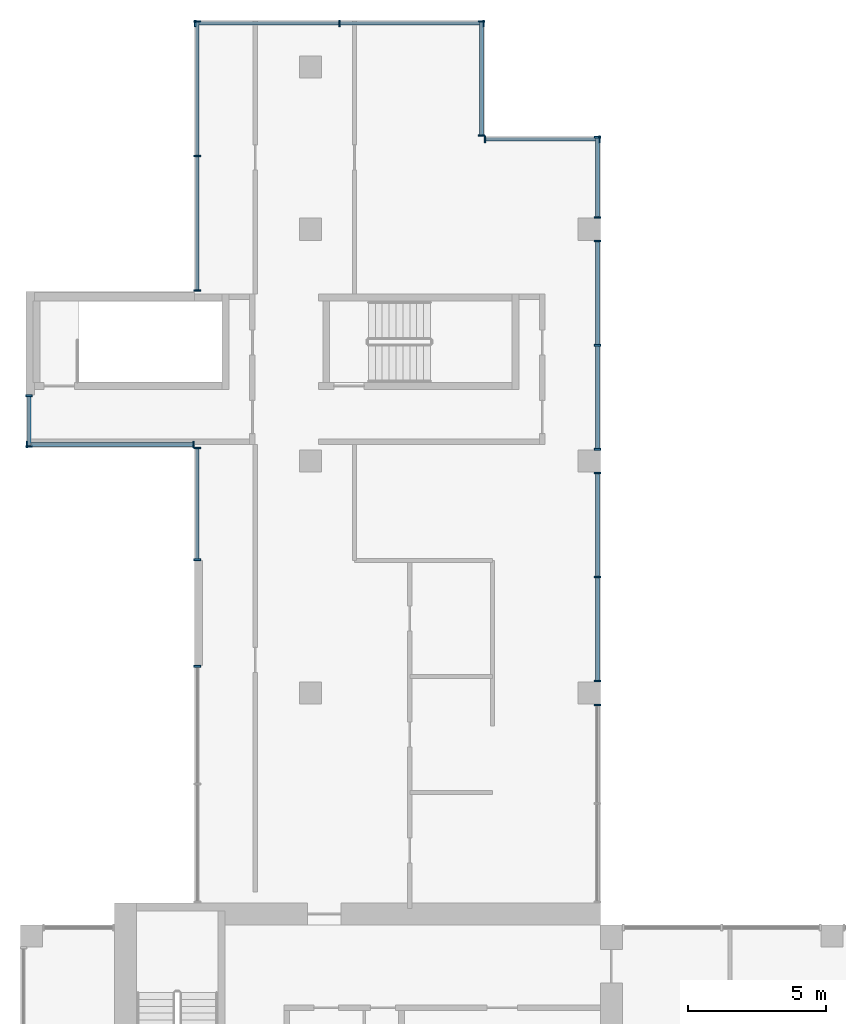
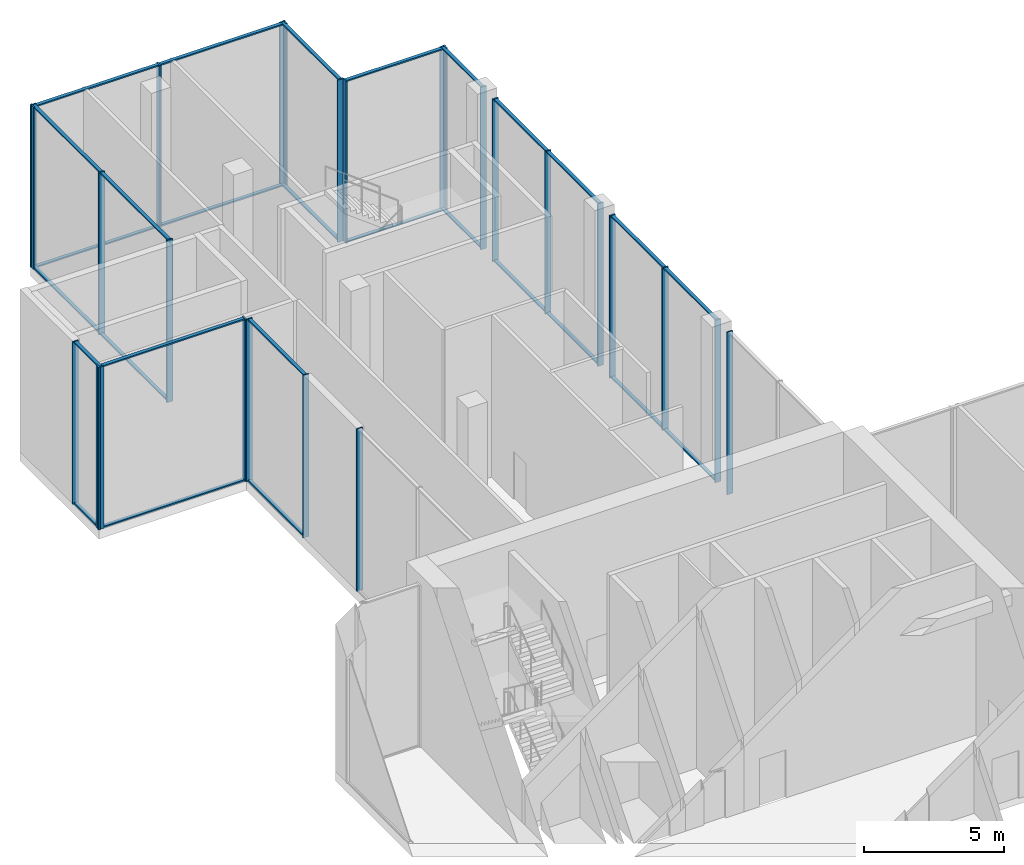
# One storey, part 5 of 13: 54 members, 12 elements without a shape of their own.
"""IFC4 building model written with IfcOpenShell, lengths in metres."""

from ifc_helpers import new_model, si_unit, direction, frame, origin, origin_2d, place, context, subcontext, project, spatial, rectangle, extrude, source, transform, mapped, material, layer, layer_set, material_profile, profile_set, type_object, element, aggregate, save


model = new_model("IFC4")

# Units and contexts
model_context = context("Model", 3, precision=1e-05, world=origin(), true_north=direction((0.0, 1.0)))
body_context = subcontext(model_context, "Body", "Model", "MODEL_VIEW")
ifc_project = project(units=[si_unit("LENGTHUNIT", "METRE"), si_unit("AREAUNIT", "SQUARE_METRE"), si_unit("VOLUMEUNIT", "CUBIC_METRE"), si_unit("PLANEANGLEUNIT", "RADIAN"), si_unit("MASSUNIT", "GRAM", prefix="KILO")], contexts=[model_context])

# Site, building, storey
site_placement = place(None, origin())
site = spatial("IfcSite", under=ifc_project, at=site_placement, CompositionType="ELEMENT")
building_placement = place(site_placement, origin())
building = spatial("IfcBuilding", under=site, at=building_placement, Name="Aurelian Terraces", CompositionType="ELEMENT")
storey_placement = place(building_placement, frame((0.0, 0.0, 277.0)))
storey = spatial("IfcBuildingStorey", under=building, at=storey_placement, Name="L63", CompositionType="ELEMENT", Elevation=277.0)

# Curtain wall, member
ifc_material_1 = material(Name="Anodised aluminium and clear glazing", Category="aluminium")
ifc_layer = layer(ifc_material_1, 0.2)
ifc_layer_set = layer_set([ifc_layer], Name="Lobby glazing curtain wall")
curtain_wall_type = type_object("IfcCurtainWallType", Name="Lobby glazing curtain wall", PredefinedType="NOTDEFINED", material=ifc_layer_set)
curtain_wall_1_placement = place(storey_placement, origin())
curtain_wall_1 = element("IfcCurtainWall", 1, at=curtain_wall_1_placement, inside=storey, type_object=curtain_wall_type, Name="Lobby glazing L63 F08.1", PredefinedType="NOTDEFINED")
ifc_material_2 = material(Name="Anodised aluminium", Category="aluminium")
ifc_material_profile_1 = material_profile(ifc_material_2, rectangle(XDim=0.24, YDim=0.06, at=origin_2d()))
ifc_profile_set_1 = profile_set([ifc_material_profile_1], Name="Anodised aluminium")
member_type_1 = type_object("IfcMemberType", Name="Lobby glazing mullion", PredefinedType="MULLION", material=ifc_profile_set_1)
shared_shape_1 = source(origin(), body_context, "Body", "SweptSolid", [
    extrude(rectangle(XDim=0.24, YDim=0.06, at=origin_2d()), origin(), (0.0, 0.0, 1.0), 7.1),
])
member_1_placement = place(storey_placement, frame((20.9, 28.97, 0.0), z_axis=(0.0, 0.0, 1.0), x_axis=(-1.0, 0.0, 0.0)))
member_1 = element("IfcMember", 2, at=member_1_placement, type_object=member_type_1, Name="CW2 mullion 3", PredefinedType="MULLION", context=body_context, shape_type="MappedRepresentation", body=[
    mapped(shared_shape_1, transform((0.0, 0.0, 0.0), scale=1.0)),
])
aggregate(curtain_wall_1, [member_1])

# Curtain wall, members
curtain_wall_2_placement = place(storey_placement, origin())
curtain_wall_2 = element("IfcCurtainWall", 3, at=curtain_wall_2_placement, inside=storey, type_object=curtain_wall_type, Name="Lobby glazing L63 F08.2", PredefinedType="NOTDEFINED")
member_2_placement = place(storey_placement, frame((20.9, 29.83, 0.0), z_axis=(0.0, 0.0, 1.0), x_axis=(-1.0, 0.0, 0.0)))
member_2 = element("IfcMember", 4, at=member_2_placement, type_object=member_type_1, Name="CW2 mullion 1", PredefinedType="MULLION", context=body_context, shape_type="MappedRepresentation", body=[
    mapped(shared_shape_1, transform((0.0, 0.0, 0.0), scale=1.0)),
])
member_3_placement = place(storey_placement, frame((20.9, 33.6, 0.0), z_axis=(0.0, 0.0, 1.0), x_axis=(-1.0, 0.0, 0.0)))
member_3 = element("IfcMember", 5, at=member_3_placement, type_object=member_type_1, Name="CW2 mullion 2", PredefinedType="MULLION", context=body_context, shape_type="MappedRepresentation", body=[
    mapped(shared_shape_1, transform((0.0, 0.0, 0.0), scale=1.0)),
])
member_4_placement = place(storey_placement, frame((20.9, 37.37, 0.0), z_axis=(0.0, 0.0, 1.0), x_axis=(-1.0, 0.0, 0.0)))
member_4 = element("IfcMember", 6, at=member_4_placement, type_object=member_type_1, Name="CW2 mullion 3", PredefinedType="MULLION", context=body_context, shape_type="MappedRepresentation", body=[
    mapped(shared_shape_1, transform((0.0, 0.0, 0.0), scale=1.0)),
])

curtain_wall_3_placement = place(storey_placement, origin())
curtain_wall_3 = element("IfcCurtainWall", 7, at=curtain_wall_3_placement, inside=storey, type_object=curtain_wall_type, Name="Lobby glazing L63 F08.3", PredefinedType="NOTDEFINED")
member_5_placement = place(storey_placement, frame((20.9, 38.23, 0.0), z_axis=(0.0, 0.0, 1.0), x_axis=(-1.0, 0.0, 0.0)))
member_5 = element("IfcMember", 8, at=member_5_placement, type_object=member_type_1, Name="CW2 mullion 1", PredefinedType="MULLION", context=body_context, shape_type="MappedRepresentation", body=[
    mapped(shared_shape_1, transform((0.0, 0.0, 0.0), scale=1.0)),
])
member_6_placement = place(storey_placement, frame((20.9, 42.0, 0.0), z_axis=(0.0, 0.0, 1.0), x_axis=(-1.0, 0.0, 0.0)))
member_6 = element("IfcMember", 9, at=member_6_placement, type_object=member_type_1, Name="CW2 mullion 2", PredefinedType="MULLION", context=body_context, shape_type="MappedRepresentation", body=[
    mapped(shared_shape_1, transform((0.0, 0.0, 0.0), scale=1.0)),
])
member_7_placement = place(storey_placement, frame((20.9, 45.77, 0.0), z_axis=(0.0, 0.0, 1.0), x_axis=(-1.0, 0.0, 0.0)))
member_7 = element("IfcMember", 10, at=member_7_placement, type_object=member_type_1, Name="CW2 mullion 3", PredefinedType="MULLION", context=body_context, shape_type="MappedRepresentation", body=[
    mapped(shared_shape_1, transform((0.0, 0.0, 0.0), scale=1.0)),
])

curtain_wall_4_placement = place(storey_placement, origin())
curtain_wall_4 = element("IfcCurtainWall", 11, at=curtain_wall_4_placement, inside=storey, type_object=curtain_wall_type, Name="Lobby glazing L63 F08.4", PredefinedType="NOTDEFINED")
member_8_placement = place(storey_placement, frame((20.9, 46.63, 0.0), z_axis=(0.0, 0.0, 1.0), x_axis=(-1.0, 0.0, 0.0)))
member_8 = element("IfcMember", 12, at=member_8_placement, type_object=member_type_1, Name="CW2 mullion 1", PredefinedType="MULLION", context=body_context, shape_type="MappedRepresentation", body=[
    mapped(shared_shape_1, transform((0.0, 0.0, 0.0), scale=1.0)),
])
member_9_placement = place(storey_placement, frame((20.9, 49.53, 0.0), z_axis=(0.0, 0.0, 1.0), x_axis=(-1.0, 0.0, 0.0)))
member_9 = element("IfcMember", 13, at=member_9_placement, type_object=member_type_1, Name="CW2 mullion 2", PredefinedType="MULLION", context=body_context, shape_type="MappedRepresentation", body=[
    mapped(shared_shape_1, transform((0.0, 0.0, 0.0), scale=1.0)),
])

curtain_wall_5_placement = place(storey_placement, origin())
curtain_wall_5 = element("IfcCurtainWall", 14, at=curtain_wall_5_placement, inside=storey, type_object=curtain_wall_type, Name="Lobby glazing L63 F09.1", PredefinedType="NOTDEFINED")
member_10_placement = place(storey_placement, frame((20.97, 49.46, 0.0), z_axis=(0.0, 0.0, 1.0), x_axis=(0.0, -1.0, 0.0)))
member_10 = element("IfcMember", 15, at=member_10_placement, type_object=member_type_1, Name="CW2 mullion 1", PredefinedType="MULLION", context=body_context, shape_type="MappedRepresentation", body=[
    mapped(shared_shape_1, transform((0.0, 0.0, 0.0), scale=1.0)),
])
member_11_placement = place(storey_placement, frame((16.83, 49.46, 0.0), z_axis=(0.0, 0.0, 1.0), x_axis=(0.0, -1.0, 0.0)))
member_11 = element("IfcMember", 16, at=member_11_placement, type_object=member_type_1, Name="CW2 mullion 2", PredefinedType="MULLION", context=body_context, shape_type="MappedRepresentation", body=[
    mapped(shared_shape_1, transform((0.0, 0.0, 0.0), scale=1.0)),
])

curtain_wall_6_placement = place(storey_placement, origin())
curtain_wall_6 = element("IfcCurtainWall", 17, at=curtain_wall_6_placement, inside=storey, type_object=curtain_wall_type, Name="Lobby glazing L63 F10.1", PredefinedType="NOTDEFINED")
member_12_placement = place(storey_placement, frame((16.7, 49.59, 0.0), z_axis=(0.0, 0.0, 1.0), x_axis=(-1.0, 0.0, 0.0)))
member_12 = element("IfcMember", 18, at=member_12_placement, type_object=member_type_1, Name="CW2 mullion 1", PredefinedType="MULLION", context=body_context, shape_type="MappedRepresentation", body=[
    mapped(shared_shape_1, transform((0.0, 0.0, 0.0), scale=1.0)),
])
member_13_placement = place(storey_placement, frame((16.7, 53.73, 0.0), z_axis=(0.0, 0.0, 1.0), x_axis=(-1.0, 0.0, 0.0)))
member_13 = element("IfcMember", 19, at=member_13_placement, type_object=member_type_1, Name="CW2 mullion 2", PredefinedType="MULLION", context=body_context, shape_type="MappedRepresentation", body=[
    mapped(shared_shape_1, transform((0.0, 0.0, 0.0), scale=1.0)),
])

curtain_wall_7_placement = place(storey_placement, origin())
curtain_wall_7 = element("IfcCurtainWall", 20, at=curtain_wall_7_placement, inside=storey, type_object=curtain_wall_type, Name="Lobby glazing L63 F11.1", PredefinedType="NOTDEFINED")
member_14_placement = place(storey_placement, frame((16.77, 53.66, 0.0), z_axis=(0.0, 0.0, 1.0), x_axis=(0.0, -1.0, 0.0)))
member_14 = element("IfcMember", 21, at=member_14_placement, type_object=member_type_1, Name="CW2 mullion 1", PredefinedType="MULLION", context=body_context, shape_type="MappedRepresentation", body=[
    mapped(shared_shape_1, transform((0.0, 0.0, 0.0), scale=1.0)),
])
member_15_placement = place(storey_placement, frame((11.55, 53.66, 0.0), z_axis=(0.0, 0.0, 1.0), x_axis=(0.0, -1.0, 0.0)))
member_15 = element("IfcMember", 22, at=member_15_placement, type_object=member_type_1, Name="CW2 mullion 2", PredefinedType="MULLION", context=body_context, shape_type="MappedRepresentation", body=[
    mapped(shared_shape_1, transform((0.0, 0.0, 0.0), scale=1.0)),
])
member_16_placement = place(storey_placement, frame((6.33, 53.66, 0.0), z_axis=(0.0, 0.0, 1.0), x_axis=(0.0, -1.0, 0.0)))
member_16 = element("IfcMember", 23, at=member_16_placement, type_object=member_type_1, Name="CW2 mullion 3", PredefinedType="MULLION", context=body_context, shape_type="MappedRepresentation", body=[
    mapped(shared_shape_1, transform((0.0, 0.0, 0.0), scale=1.0)),
])

curtain_wall_8_placement = place(storey_placement, origin())
curtain_wall_8 = element("IfcCurtainWall", 24, at=curtain_wall_8_placement, inside=storey, type_object=curtain_wall_type, Name="Lobby glazing L63 F12.1", PredefinedType="NOTDEFINED")
member_17_placement = place(storey_placement, frame((6.4, 53.73, 0.0), z_axis=(0.0, 0.0, 1.0), x_axis=(1.0, 0.0, 0.0)))
member_17 = element("IfcMember", 25, at=member_17_placement, type_object=member_type_1, Name="CW2 mullion 1", PredefinedType="MULLION", context=body_context, shape_type="MappedRepresentation", body=[
    mapped(shared_shape_1, transform((0.0, 0.0, 0.0), scale=1.0)),
])
member_18_placement = place(storey_placement, frame((6.4, 48.855, 0.0), z_axis=(0.0, 0.0, 1.0), x_axis=(1.0, 0.0, 0.0)))
member_18 = element("IfcMember", 26, at=member_18_placement, type_object=member_type_1, Name="CW2 mullion 2", PredefinedType="MULLION", context=body_context, shape_type="MappedRepresentation", body=[
    mapped(shared_shape_1, transform((0.0, 0.0, 0.0), scale=1.0)),
])
member_19_placement = place(storey_placement, frame((6.4, 43.98, 0.0), z_axis=(0.0, 0.0, 1.0), x_axis=(1.0, 0.0, 0.0)))
member_19 = element("IfcMember", 27, at=member_19_placement, type_object=member_type_1, Name="CW2 mullion 3", PredefinedType="MULLION", context=body_context, shape_type="MappedRepresentation", body=[
    mapped(shared_shape_1, transform((0.0, 0.0, 0.0), scale=1.0)),
])

curtain_wall_9_placement = place(storey_placement, origin())
curtain_wall_9 = element("IfcCurtainWall", 28, at=curtain_wall_9_placement, inside=storey, type_object=curtain_wall_type, Name="Lobby glazing L63 F14.2", PredefinedType="NOTDEFINED")
member_20_placement = place(storey_placement, frame((0.3, 40.17, 0.0), z_axis=(0.0, 0.0, 1.0), x_axis=(1.0, 0.0, 0.0)))
member_20 = element("IfcMember", 29, at=member_20_placement, type_object=member_type_1, Name="CW2 mullion 1", PredefinedType="MULLION", context=body_context, shape_type="MappedRepresentation", body=[
    mapped(shared_shape_1, transform((0.0, 0.0, 0.0), scale=1.0)),
])
member_21_placement = place(storey_placement, frame((0.3, 38.33, 0.0), z_axis=(0.0, 0.0, 1.0), x_axis=(1.0, 0.0, 0.0)))
member_21 = element("IfcMember", 30, at=member_21_placement, type_object=member_type_1, Name="CW2 mullion 2", PredefinedType="MULLION", context=body_context, shape_type="MappedRepresentation", body=[
    mapped(shared_shape_1, transform((0.0, 0.0, 0.0), scale=1.0)),
])

curtain_wall_10_placement = place(storey_placement, origin())
curtain_wall_10 = element("IfcCurtainWall", 31, at=curtain_wall_10_placement, inside=storey, type_object=curtain_wall_type, Name="Lobby glazing L63 F15.1", PredefinedType="NOTDEFINED")
member_22_placement = place(storey_placement, frame((0.23, 38.4, 0.0), z_axis=(0.0, 0.0, 1.0), x_axis=(0.0, 1.0, 0.0)))
member_22 = element("IfcMember", 32, at=member_22_placement, type_object=member_type_1, Name="CW2 mullion 1", PredefinedType="MULLION", context=body_context, shape_type="MappedRepresentation", body=[
    mapped(shared_shape_1, transform((0.0, 0.0, 0.0), scale=1.0)),
])
member_23_placement = place(storey_placement, frame((6.27, 38.4, 0.0), z_axis=(0.0, 0.0, 1.0), x_axis=(0.0, 1.0, 0.0)))
member_23 = element("IfcMember", 33, at=member_23_placement, type_object=member_type_1, Name="CW2 mullion 2", PredefinedType="MULLION", context=body_context, shape_type="MappedRepresentation", body=[
    mapped(shared_shape_1, transform((0.0, 0.0, 0.0), scale=1.0)),
])

curtain_wall_11_placement = place(storey_placement, origin())
curtain_wall_11 = element("IfcCurtainWall", 34, at=curtain_wall_11_placement, inside=storey, type_object=curtain_wall_type, Name="Lobby glazing L63 F16.1", PredefinedType="NOTDEFINED")
member_24_placement = place(storey_placement, frame((6.4, 38.27, 0.0), z_axis=(0.0, 0.0, 1.0), x_axis=(1.0, 0.0, 0.0)))
member_24 = element("IfcMember", 35, at=member_24_placement, type_object=member_type_1, Name="CW2 mullion 1", PredefinedType="MULLION", context=body_context, shape_type="MappedRepresentation", body=[
    mapped(shared_shape_1, transform((0.0, 0.0, 0.0), scale=1.0)),
])
member_25_placement = place(storey_placement, frame((6.4, 34.23, 0.0), z_axis=(0.0, 0.0, 1.0), x_axis=(1.0, 0.0, 0.0)))
member_25 = element("IfcMember", 36, at=member_25_placement, type_object=member_type_1, Name="CW2 mullion 2", PredefinedType="MULLION", context=body_context, shape_type="MappedRepresentation", body=[
    mapped(shared_shape_1, transform((0.0, 0.0, 0.0), scale=1.0)),
])

# Curtain wall, member
curtain_wall_12_placement = place(storey_placement, origin())
curtain_wall_12 = element("IfcCurtainWall", 37, at=curtain_wall_12_placement, inside=storey, type_object=curtain_wall_type, Name="Lobby glazing L63 F16.3", PredefinedType="NOTDEFINED")
member_26_placement = place(storey_placement, frame((6.4, 30.37, 0.0), z_axis=(0.0, 0.0, 1.0), x_axis=(1.0, 0.0, 0.0)))
member_26 = element("IfcMember", 38, at=member_26_placement, type_object=member_type_1, Name="CW2 mullion 1", PredefinedType="MULLION", context=body_context, shape_type="MappedRepresentation", body=[
    mapped(shared_shape_1, transform((0.0, 0.0, 0.0), scale=1.0)),
])
aggregate(curtain_wall_12, [member_26])

# Member
ifc_material_profile_2 = material_profile(ifc_material_2, rectangle(XDim=0.14, YDim=0.06, at=origin_2d()))
ifc_profile_set_2 = profile_set([ifc_material_profile_2], Name="Anodised aluminium")
member_type_2 = type_object("IfcMemberType", Name="Lobby glazing transom", PredefinedType="USERDEFINED", material=ifc_profile_set_2)
shared_shape_2 = source(origin(), body_context, "Body", "SweptSolid", [
    extrude(rectangle(XDim=0.14, YDim=0.06, at=origin_2d()), origin(), (0.0, 0.0, 1.0), 4.08),
])
member_27_placement = place(storey_placement, frame((20.94, 49.46, 0.03), z_axis=(-1.0, 0.0, 0.0), x_axis=(0.0, -1.0, 0.0)))
member_27 = element("IfcMember", 39, at=member_27_placement, type_object=member_type_2, Name="CW2 transom 1.1", ObjectType="TRANSOM", PredefinedType="USERDEFINED", context=body_context, shape_type="MappedRepresentation", body=[
    mapped(shared_shape_2, transform((0.0, 0.0, 0.0), scale=1.0)),
])

member_28_placement = place(storey_placement, frame((20.94, 49.46, 7.07), z_axis=(-1.0, 0.0, 0.0), x_axis=(0.0, -1.0, 0.0)))
member_28 = element("IfcMember", 40, at=member_28_placement, type_object=member_type_2, Name="CW2 transom 1.2", ObjectType="TRANSOM", PredefinedType="USERDEFINED", context=body_context, shape_type="MappedRepresentation", body=[
    mapped(shared_shape_2, transform((0.0, 0.0, 0.0), scale=1.0)),
])

aggregate(curtain_wall_5, [member_10, member_11, member_27, member_28])

member_29_placement = place(storey_placement, frame((16.7, 49.62, 0.03), z_axis=(0.0, 1.0, 0.0), x_axis=(-1.0, 0.0, 0.0)))
member_29 = element("IfcMember", 41, at=member_29_placement, type_object=member_type_2, Name="CW2 transom 1.1", ObjectType="TRANSOM", PredefinedType="USERDEFINED", context=body_context, shape_type="MappedRepresentation", body=[
    mapped(shared_shape_2, transform((0.0, 0.0, 0.0), scale=1.0)),
])

member_30_placement = place(storey_placement, frame((16.7, 49.62, 7.07), z_axis=(0.0, 1.0, 0.0), x_axis=(-1.0, 0.0, 0.0)))
member_30 = element("IfcMember", 42, at=member_30_placement, type_object=member_type_2, Name="CW2 transom 1.2", ObjectType="TRANSOM", PredefinedType="USERDEFINED", context=body_context, shape_type="MappedRepresentation", body=[
    mapped(shared_shape_2, transform((0.0, 0.0, 0.0), scale=1.0)),
])

aggregate(curtain_wall_6, [member_12, member_13, member_29, member_30])

shared_shape_3 = source(origin(), body_context, "Body", "SweptSolid", [
    extrude(rectangle(XDim=0.14, YDim=0.06, at=origin_2d()), origin(), (0.0, 0.0, 1.0), 5.16),
])
member_31_placement = place(storey_placement, frame((16.74, 53.66, 0.03), z_axis=(-1.0, 0.0, 0.0), x_axis=(0.0, -1.0, 0.0)))
member_31 = element("IfcMember", 43, at=member_31_placement, type_object=member_type_2, Name="CW2 transom 1.1", ObjectType="TRANSOM", PredefinedType="USERDEFINED", context=body_context, shape_type="MappedRepresentation", body=[
    mapped(shared_shape_3, transform((0.0, 0.0, 0.0), scale=1.0)),
])

member_32_placement = place(storey_placement, frame((16.74, 53.66, 7.07), z_axis=(-1.0, 0.0, 0.0), x_axis=(0.0, -1.0, 0.0)))
member_32 = element("IfcMember", 44, at=member_32_placement, type_object=member_type_2, Name="CW2 transom 1.2", ObjectType="TRANSOM", PredefinedType="USERDEFINED", context=body_context, shape_type="MappedRepresentation", body=[
    mapped(shared_shape_3, transform((0.0, 0.0, 0.0), scale=1.0)),
])

member_33_placement = place(storey_placement, frame((11.52, 53.66, 0.03), z_axis=(-1.0, 0.0, 0.0), x_axis=(0.0, -1.0, 0.0)))
member_33 = element("IfcMember", 45, at=member_33_placement, type_object=member_type_2, Name="CW2 transom 2.1", ObjectType="TRANSOM", PredefinedType="USERDEFINED", context=body_context, shape_type="MappedRepresentation", body=[
    mapped(shared_shape_3, transform((0.0, 0.0, 0.0), scale=1.0)),
])

member_34_placement = place(storey_placement, frame((11.52, 53.66, 7.07), z_axis=(-1.0, 0.0, 0.0), x_axis=(0.0, -1.0, 0.0)))
member_34 = element("IfcMember", 46, at=member_34_placement, type_object=member_type_2, Name="CW2 transom 2.2", ObjectType="TRANSOM", PredefinedType="USERDEFINED", context=body_context, shape_type="MappedRepresentation", body=[
    mapped(shared_shape_3, transform((0.0, 0.0, 0.0), scale=1.0)),
])

aggregate(curtain_wall_7, [member_14, member_15, member_16, member_31, member_32, member_33, member_34])

shared_shape_4 = source(origin(), body_context, "Body", "SweptSolid", [
    extrude(rectangle(XDim=0.14, YDim=0.06, at=origin_2d()), origin(), (0.0, 0.0, 1.0), 4.815),
])
member_35_placement = place(storey_placement, frame((6.4, 53.7, 0.03), z_axis=(0.0, -1.0, 0.0), x_axis=(1.0, 0.0, 0.0)))
member_35 = element("IfcMember", 47, at=member_35_placement, type_object=member_type_2, Name="CW2 transom 1.1", ObjectType="TRANSOM", PredefinedType="USERDEFINED", context=body_context, shape_type="MappedRepresentation", body=[
    mapped(shared_shape_4, transform((0.0, 0.0, 0.0), scale=1.0)),
])

member_36_placement = place(storey_placement, frame((6.4, 53.7, 7.07), z_axis=(0.0, -1.0, 0.0), x_axis=(1.0, 0.0, 0.0)))
member_36 = element("IfcMember", 48, at=member_36_placement, type_object=member_type_2, Name="CW2 transom 1.2", ObjectType="TRANSOM", PredefinedType="USERDEFINED", context=body_context, shape_type="MappedRepresentation", body=[
    mapped(shared_shape_4, transform((0.0, 0.0, 0.0), scale=1.0)),
])

member_37_placement = place(storey_placement, frame((6.4, 48.825, 0.03), z_axis=(0.0, -1.0, 0.0), x_axis=(1.0, 0.0, 0.0)))
member_37 = element("IfcMember", 49, at=member_37_placement, type_object=member_type_2, Name="CW2 transom 2.1", ObjectType="TRANSOM", PredefinedType="USERDEFINED", context=body_context, shape_type="MappedRepresentation", body=[
    mapped(shared_shape_4, transform((0.0, 0.0, 0.0), scale=1.0)),
])

member_38_placement = place(storey_placement, frame((6.4, 48.825, 7.07), z_axis=(0.0, -1.0, 0.0), x_axis=(1.0, 0.0, 0.0)))
member_38 = element("IfcMember", 50, at=member_38_placement, type_object=member_type_2, Name="CW2 transom 2.2", ObjectType="TRANSOM", PredefinedType="USERDEFINED", context=body_context, shape_type="MappedRepresentation", body=[
    mapped(shared_shape_4, transform((0.0, 0.0, 0.0), scale=1.0)),
])

aggregate(curtain_wall_8, [member_17, member_18, member_19, member_35, member_36, member_37, member_38])

shared_shape_5 = source(origin(), body_context, "Body", "SweptSolid", [
    extrude(rectangle(XDim=0.14, YDim=0.06, at=origin_2d()), origin(), (0.0, 0.0, 1.0), 1.78),
])
member_39_placement = place(storey_placement, frame((0.3, 40.14, 0.03), z_axis=(0.0, -1.0, 0.0), x_axis=(1.0, 0.0, 0.0)))
member_39 = element("IfcMember", 51, at=member_39_placement, type_object=member_type_2, Name="CW2 transom 1.1", ObjectType="TRANSOM", PredefinedType="USERDEFINED", context=body_context, shape_type="MappedRepresentation", body=[
    mapped(shared_shape_5, transform((0.0, 0.0, 0.0), scale=1.0)),
])

member_40_placement = place(storey_placement, frame((0.3, 40.14, 7.07), z_axis=(0.0, -1.0, 0.0), x_axis=(1.0, 0.0, 0.0)))
member_40 = element("IfcMember", 52, at=member_40_placement, type_object=member_type_2, Name="CW2 transom 1.2", ObjectType="TRANSOM", PredefinedType="USERDEFINED", context=body_context, shape_type="MappedRepresentation", body=[
    mapped(shared_shape_5, transform((0.0, 0.0, 0.0), scale=1.0)),
])

aggregate(curtain_wall_9, [member_20, member_21, member_39, member_40])

shared_shape_6 = source(origin(), body_context, "Body", "SweptSolid", [
    extrude(rectangle(XDim=0.14, YDim=0.06, at=origin_2d()), origin(), (0.0, 0.0, 1.0), 5.98),
])
member_41_placement = place(storey_placement, frame((0.26, 38.4, 0.03), z_axis=(1.0, 0.0, 0.0), x_axis=(0.0, 1.0, 0.0)))
member_41 = element("IfcMember", 53, at=member_41_placement, type_object=member_type_2, Name="CW2 transom 1.1", ObjectType="TRANSOM", PredefinedType="USERDEFINED", context=body_context, shape_type="MappedRepresentation", body=[
    mapped(shared_shape_6, transform((0.0, 0.0, 0.0), scale=1.0)),
])

member_42_placement = place(storey_placement, frame((0.26, 38.4, 7.07), z_axis=(1.0, 0.0, 0.0), x_axis=(0.0, 1.0, 0.0)))
member_42 = element("IfcMember", 54, at=member_42_placement, type_object=member_type_2, Name="CW2 transom 1.2", ObjectType="TRANSOM", PredefinedType="USERDEFINED", context=body_context, shape_type="MappedRepresentation", body=[
    mapped(shared_shape_6, transform((0.0, 0.0, 0.0), scale=1.0)),
])

aggregate(curtain_wall_10, [member_22, member_23, member_41, member_42])

shared_shape_7 = source(origin(), body_context, "Body", "SweptSolid", [
    extrude(rectangle(XDim=0.14, YDim=0.06, at=origin_2d()), origin(), (0.0, 0.0, 1.0), 3.98),
])
member_43_placement = place(storey_placement, frame((6.4, 38.24, 0.03), z_axis=(0.0, -1.0, 0.0), x_axis=(1.0, 0.0, 0.0)))
member_43 = element("IfcMember", 55, at=member_43_placement, type_object=member_type_2, Name="CW2 transom 1.1", ObjectType="TRANSOM", PredefinedType="USERDEFINED", context=body_context, shape_type="MappedRepresentation", body=[
    mapped(shared_shape_7, transform((0.0, 0.0, 0.0), scale=1.0)),
])

member_44_placement = place(storey_placement, frame((6.4, 38.24, 7.07), z_axis=(0.0, -1.0, 0.0), x_axis=(1.0, 0.0, 0.0)))
member_44 = element("IfcMember", 56, at=member_44_placement, type_object=member_type_2, Name="CW2 transom 1.2", ObjectType="TRANSOM", PredefinedType="USERDEFINED", context=body_context, shape_type="MappedRepresentation", body=[
    mapped(shared_shape_7, transform((0.0, 0.0, 0.0), scale=1.0)),
])

aggregate(curtain_wall_11, [member_24, member_25, member_43, member_44])

shared_shape_8 = source(origin(), body_context, "Body", "SweptSolid", [
    extrude(rectangle(XDim=0.14, YDim=0.06, at=origin_2d()), origin(), (0.0, 0.0, 1.0), 3.71),
])
member_45_placement = place(storey_placement, frame((20.9, 29.86, 0.03), z_axis=(0.0, 1.0, 0.0), x_axis=(-1.0, 0.0, 0.0)))
member_45 = element("IfcMember", 57, at=member_45_placement, type_object=member_type_2, Name="CW2 transom 1.1", ObjectType="TRANSOM", PredefinedType="USERDEFINED", context=body_context, shape_type="MappedRepresentation", body=[
    mapped(shared_shape_8, transform((0.0, 0.0, 0.0), scale=1.0)),
])

member_46_placement = place(storey_placement, frame((20.9, 29.86, 7.07), z_axis=(0.0, 1.0, 0.0), x_axis=(-1.0, 0.0, 0.0)))
member_46 = element("IfcMember", 58, at=member_46_placement, type_object=member_type_2, Name="CW2 transom 1.2", ObjectType="TRANSOM", PredefinedType="USERDEFINED", context=body_context, shape_type="MappedRepresentation", body=[
    mapped(shared_shape_8, transform((0.0, 0.0, 0.0), scale=1.0)),
])

member_47_placement = place(storey_placement, frame((20.9, 33.63, 0.03), z_axis=(0.0, 1.0, 0.0), x_axis=(-1.0, 0.0, 0.0)))
member_47 = element("IfcMember", 59, at=member_47_placement, type_object=member_type_2, Name="CW2 transom 2.1", ObjectType="TRANSOM", PredefinedType="USERDEFINED", context=body_context, shape_type="MappedRepresentation", body=[
    mapped(shared_shape_8, transform((0.0, 0.0, 0.0), scale=1.0)),
])

member_48_placement = place(storey_placement, frame((20.9, 33.63, 7.07), z_axis=(0.0, 1.0, 0.0), x_axis=(-1.0, 0.0, 0.0)))
member_48 = element("IfcMember", 60, at=member_48_placement, type_object=member_type_2, Name="CW2 transom 2.2", ObjectType="TRANSOM", PredefinedType="USERDEFINED", context=body_context, shape_type="MappedRepresentation", body=[
    mapped(shared_shape_8, transform((0.0, 0.0, 0.0), scale=1.0)),
])

aggregate(curtain_wall_2, [member_2, member_3, member_4, member_45, member_46, member_47, member_48])

member_49_placement = place(storey_placement, frame((20.9, 38.26, 0.03), z_axis=(0.0, 1.0, 0.0), x_axis=(-1.0, 0.0, 0.0)))
member_49 = element("IfcMember", 61, at=member_49_placement, type_object=member_type_2, Name="CW2 transom 1.1", ObjectType="TRANSOM", PredefinedType="USERDEFINED", context=body_context, shape_type="MappedRepresentation", body=[
    mapped(shared_shape_8, transform((0.0, 0.0, 0.0), scale=1.0)),
])

member_50_placement = place(storey_placement, frame((20.9, 38.26, 7.07), z_axis=(0.0, 1.0, 0.0), x_axis=(-1.0, 0.0, 0.0)))
member_50 = element("IfcMember", 62, at=member_50_placement, type_object=member_type_2, Name="CW2 transom 1.2", ObjectType="TRANSOM", PredefinedType="USERDEFINED", context=body_context, shape_type="MappedRepresentation", body=[
    mapped(shared_shape_8, transform((0.0, 0.0, 0.0), scale=1.0)),
])

member_51_placement = place(storey_placement, frame((20.9, 42.03, 0.03), z_axis=(0.0, 1.0, 0.0), x_axis=(-1.0, 0.0, 0.0)))
member_51 = element("IfcMember", 63, at=member_51_placement, type_object=member_type_2, Name="CW2 transom 2.1", ObjectType="TRANSOM", PredefinedType="USERDEFINED", context=body_context, shape_type="MappedRepresentation", body=[
    mapped(shared_shape_8, transform((0.0, 0.0, 0.0), scale=1.0)),
])

member_52_placement = place(storey_placement, frame((20.9, 42.03, 7.07), z_axis=(0.0, 1.0, 0.0), x_axis=(-1.0, 0.0, 0.0)))
member_52 = element("IfcMember", 64, at=member_52_placement, type_object=member_type_2, Name="CW2 transom 2.2", ObjectType="TRANSOM", PredefinedType="USERDEFINED", context=body_context, shape_type="MappedRepresentation", body=[
    mapped(shared_shape_8, transform((0.0, 0.0, 0.0), scale=1.0)),
])

aggregate(curtain_wall_3, [member_5, member_6, member_7, member_49, member_50, member_51, member_52])

shared_shape_9 = source(origin(), body_context, "Body", "SweptSolid", [
    extrude(rectangle(XDim=0.14, YDim=0.06, at=origin_2d()), origin(), (0.0, 0.0, 1.0), 2.84),
])
member_53_placement = place(storey_placement, frame((20.9, 46.66, 0.03), z_axis=(0.0, 1.0, 0.0), x_axis=(-1.0, 0.0, 0.0)))
member_53 = element("IfcMember", 65, at=member_53_placement, type_object=member_type_2, Name="CW2 transom 1.1", ObjectType="TRANSOM", PredefinedType="USERDEFINED", context=body_context, shape_type="MappedRepresentation", body=[
    mapped(shared_shape_9, transform((0.0, 0.0, 0.0), scale=1.0)),
])

member_54_placement = place(storey_placement, frame((20.9, 46.66, 7.07), z_axis=(0.0, 1.0, 0.0), x_axis=(-1.0, 0.0, 0.0)))
member_54 = element("IfcMember", 66, at=member_54_placement, type_object=member_type_2, Name="CW2 transom 1.2", ObjectType="TRANSOM", PredefinedType="USERDEFINED", context=body_context, shape_type="MappedRepresentation", body=[
    mapped(shared_shape_9, transform((0.0, 0.0, 0.0), scale=1.0)),
])

aggregate(curtain_wall_4, [member_8, member_9, member_53, member_54])

save(model, "model.ifc")
